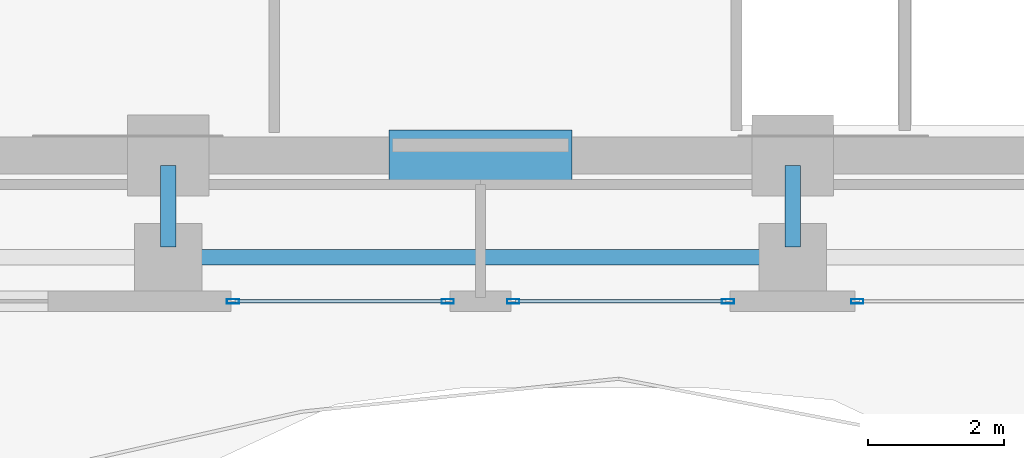
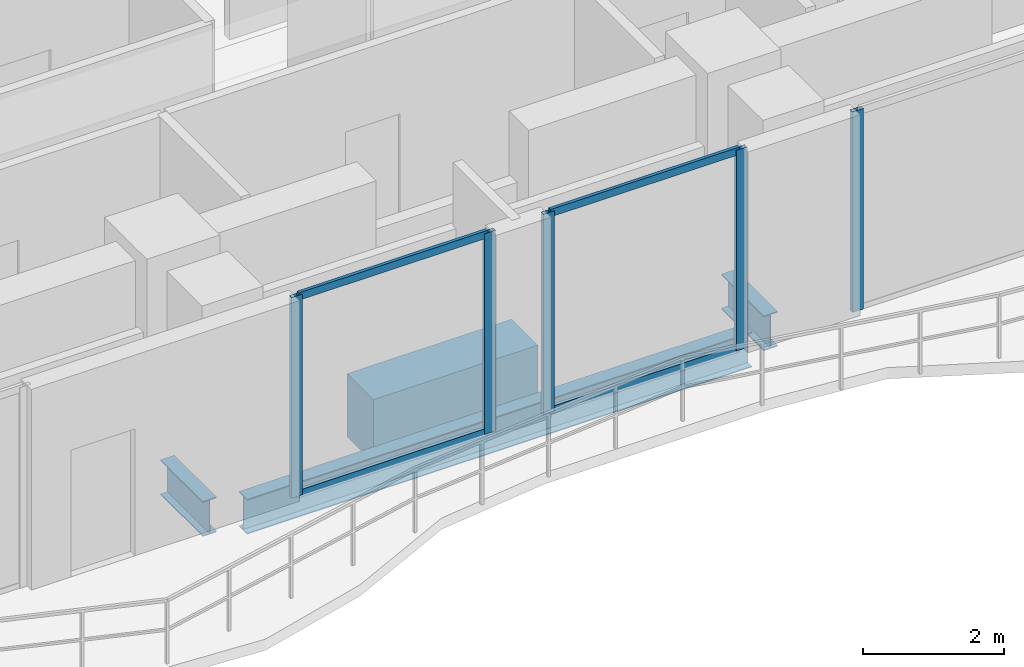
# One storey, part 4 of 25: 9 members, 4 beams, 3 elements without a shape of their own.
"""IFC4 building model written with IfcOpenShell, lengths in metres."""

from ifc_helpers import new_model, si_unit, direction, frame, origin, origin_2d, place, context, subcontext, project, spatial, rectangle, hollow_rectangle, i_section, extrude, material, layer, layer_set, material_profile, profile_set, type_object, element, aggregate, save


model = new_model("IFC4")

# Units and contexts
model_context = context("Model", 3, precision=1e-05, world=origin(), true_north=direction((0.0, 1.0)))
body_context = subcontext(model_context, "Body", "Model", "MODEL_VIEW")
ifc_project = project(units=[si_unit("LENGTHUNIT", "METRE"), si_unit("AREAUNIT", "SQUARE_METRE"), si_unit("VOLUMEUNIT", "CUBIC_METRE"), si_unit("PLANEANGLEUNIT", "RADIAN"), si_unit("MASSUNIT", "GRAM", prefix="KILO")], contexts=[model_context])

# Site, building, storey
site_placement = place(None, origin())
site = spatial("IfcSite", under=ifc_project, at=site_placement, CompositionType="ELEMENT")
building_placement = place(site_placement, origin())
building = spatial("IfcBuilding", under=site, at=building_placement, Name="Zuhayl Quay Hotel", CompositionType="ELEMENT")
storey_placement = place(building_placement, frame((0.0, 0.0, 250.75)))
storey = spatial("IfcBuildingStorey", under=building, at=storey_placement, Name="L63", CompositionType="ELEMENT", Elevation=250.75)

# Beams
ifc_material_1 = material(Name="Steel ASTM A992 Grade 50", Category="steel")
ifc_material_profile_1 = material_profile(ifc_material_1, i_section(OverallWidth=0.22802734375, OverallDepth=0.60693359375, WebThickness=0.01123046875, FlangeThickness=0.017333984375, at=origin_2d()), Name="W24X76")
ifc_profile_set_1 = profile_set([ifc_material_profile_1], Name="Steel ASTM A992 Grade 50")
beam_type_1 = type_object("IfcBeamType", Name="BM_B3_W24X76", PredefinedType="BEAM", material=ifc_profile_set_1)
beam_1_placement = place(storey_placement, frame((-4.139892578125, 0.64990234375, -0.5234375), z_axis=(1.0, 0.0, 0.0), x_axis=(0.0, 1.0, 0.0)))
element("IfcBeam", 1, at=beam_1_placement, inside=storey, type_object=beam_type_1, Name="L63 Floor Beam RG_L63_02", PredefinedType="BEAM", context=body_context, shape_type="SweptSolid", body=[
    extrude(i_section(OverallWidth=0.22802734375, OverallDepth=0.60693359375, WebThickness=0.01123046875, FlangeThickness=0.017333984375, at=origin_2d()), origin(), (0.0, 0.0, 1.0), 8.27978515625),
])
for number, where, z_axis, x_axis, name in (
    (2, (-4.60009765625, 0.800048828125, -0.5234375), (0.0, 1.0, 0.0), (-1.0, 0.0, 0.0), "L63 Floor Beam FG_S_L63_2"),
    (3, (4.60009765625, 0.800048828125, -0.5234375), (0.0, 1.0, 0.0), (-1.0, 0.0, 0.0), "L63 Floor Beam FG_S_L63_3"),
):
    element("IfcBeam", number, at=place(storey_placement, frame(where, z_axis=z_axis, x_axis=x_axis)), inside=storey, type_object=beam_type_1, Name=name, PredefinedType="BEAM", context=body_context, shape_type="SweptSolid", body=[
        extrude(i_section(OverallWidth=0.22802734375, OverallDepth=0.60693359375, WebThickness=0.01123046875, FlangeThickness=0.017333984375, at=origin_2d()), origin(), (0.0, 0.0, 1.0), 1.199951171875),
    ])
ifc_material_2 = material(Name="Concrete C60/75", Category="concrete")
ifc_material_profile_2 = material_profile(ifc_material_2, rectangle(XDim=0.75, YDim=1.10009765625, at=origin_2d()), Name="RC750X1100")
ifc_profile_set_2 = profile_set([ifc_material_profile_2], Name="Concrete C60/75")
beam_type_2 = type_object("IfcBeamType", Name="BM_CB2_RC750", PredefinedType="T_BEAM", material=ifc_profile_set_2)
beam_2_placement = place(storey_placement, frame((-1.35009765625, 2.14990234375, -0.77001953125), z_axis=(1.0, 0.0, 0.0), x_axis=(0.0, 1.0, 0.0)))
element("IfcBeam", 4, at=beam_2_placement, inside=storey, type_object=beam_type_2, Name="L63 Core Coupling Beam South", PredefinedType="T_BEAM", context=body_context, shape_type="SweptSolid", body=[
    extrude(rectangle(XDim=0.75, YDim=1.10009765625, at=origin_2d()), origin(), (0.0, 0.0, 1.0), 2.7001953125),
])

# Curtain wall, member
ifc_material_3 = material(Name="Anodised Aluminium 6063-T6", Category="aluminium")
ifc_layer = layer(ifc_material_3, 0.169921875, Name="Anodised Aluminium 6063-T6", Category="aluminium")
ifc_layer_set = layer_set([ifc_layer], Name="Anodised Aluminium 6063-T6")
curtain_wall_type = type_object("IfcCurtainWallType", Name="CW_SYS_Z4", PredefinedType="USERDEFINED", material=ifc_layer_set)
curtain_wall_1_placement = place(storey_placement, origin())
curtain_wall_1 = element("IfcCurtainWall", 5, at=curtain_wall_1_placement, inside=storey, type_object=curtain_wall_type, Name="L63 Curtain Wall ENV_L63_S_CW1", ObjectType="UNITISED CURTAIN WALL", PredefinedType="USERDEFINED")
ifc_material_4 = material(Name="Black-anodised aluminium 6063-T6", Category="aluminium")
ifc_material_profile_3 = material_profile(ifc_material_4, hollow_rectangle(XDim=0.06494140625, YDim=0.179931640625, WallThickness=0.00341796875, at=origin_2d()), Name="ALU180X65")
ifc_profile_set_3 = profile_set([ifc_material_profile_3], Name="Black-anodised aluminium 6063-T6")
member_type_1 = type_object("IfcMemberType", Name="MB_CW_MUL_180", PredefinedType="MULLION", material=ifc_profile_set_3)
member_1_placement = place(storey_placement, frame((5.552490234375, 0.0, 0.0), z_axis=(0.0, 0.0, 1.0), x_axis=(0.0, -1.0, 0.0)))
member_1 = element("IfcMember", 6, at=member_1_placement, type_object=member_type_1, Name="CW-Z4 mullion 2", PredefinedType="MULLION", context=body_context, shape_type="SweptSolid", body=[
    extrude(hollow_rectangle(XDim=0.06494140625, YDim=0.179931640625, WallThickness=0.00341796875, at=origin_2d()), origin(), (0.0, 0.0, 1.0), 3.47998046875),
])
aggregate(curtain_wall_1, [member_1])

# Curtain wall, members
curtain_wall_2_placement = place(storey_placement, origin())
curtain_wall_2 = element("IfcCurtainWall", 7, at=curtain_wall_2_placement, inside=storey, type_object=curtain_wall_type, Name="L63 Curtain Wall ENV_L63_S_CW2", ObjectType="UNITISED CURTAIN WALL", PredefinedType="USERDEFINED")
member_2_placement = place(storey_placement, frame((3.6474609375, 0.0, 0.0), z_axis=(0.0, 0.0, 1.0), x_axis=(0.0, -1.0, 0.0)))
member_2 = element("IfcMember", 8, at=member_2_placement, type_object=member_type_1, Name="CW-Z4 mullion 1", PredefinedType="MULLION", context=body_context, shape_type="SweptSolid", body=[
    extrude(hollow_rectangle(XDim=0.06494140625, YDim=0.179931640625, WallThickness=0.00341796875, at=origin_2d()), origin(), (0.0, 0.0, 1.0), 3.47998046875),
])
member_3_placement = place(storey_placement, frame((0.482421875, 0.0, 0.0), z_axis=(0.0, 0.0, 1.0), x_axis=(0.0, -1.0, 0.0)))
member_3 = element("IfcMember", 9, at=member_3_placement, type_object=member_type_1, Name="CW-Z4 mullion 2", PredefinedType="MULLION", context=body_context, shape_type="SweptSolid", body=[
    extrude(hollow_rectangle(XDim=0.06494140625, YDim=0.179931640625, WallThickness=0.00341796875, at=origin_2d()), origin(), (0.0, 0.0, 1.0), 3.47998046875),
])

curtain_wall_3_placement = place(storey_placement, origin())
curtain_wall_3 = element("IfcCurtainWall", 10, at=curtain_wall_3_placement, inside=storey, type_object=curtain_wall_type, Name="L63 Curtain Wall ENV_L63_S_CW3", ObjectType="UNITISED CURTAIN WALL", PredefinedType="USERDEFINED")
member_4_placement = place(storey_placement, frame((-0.482421875, 0.0, 0.0), z_axis=(0.0, 0.0, 1.0), x_axis=(0.0, -1.0, 0.0)))
member_4 = element("IfcMember", 11, at=member_4_placement, type_object=member_type_1, Name="CW-Z4 mullion 1", PredefinedType="MULLION", context=body_context, shape_type="SweptSolid", body=[
    extrude(hollow_rectangle(XDim=0.06494140625, YDim=0.179931640625, WallThickness=0.00341796875, at=origin_2d()), origin(), (0.0, 0.0, 1.0), 3.47998046875),
])
member_5_placement = place(storey_placement, frame((-3.6474609375, 0.0, 0.0), z_axis=(0.0, 0.0, 1.0), x_axis=(0.0, -1.0, 0.0)))
member_5 = element("IfcMember", 12, at=member_5_placement, type_object=member_type_1, Name="CW-Z4 mullion 2", PredefinedType="MULLION", context=body_context, shape_type="SweptSolid", body=[
    extrude(hollow_rectangle(XDim=0.06494140625, YDim=0.179931640625, WallThickness=0.00341796875, at=origin_2d()), origin(), (0.0, 0.0, 1.0), 3.47998046875),
])

# Member
ifc_material_profile_4 = material_profile(ifc_material_4, hollow_rectangle(XDim=0.054931640625, YDim=0.1298828125, WallThickness=0.0029296875, at=origin_2d()), Name="ALU130X55")
ifc_profile_set_4 = profile_set([ifc_material_profile_4], Name="Black-anodised aluminium 6063-T6")
member_type_2 = type_object("IfcMemberType", Name="MB_CW_TRN_130", PredefinedType="USERDEFINED", material=ifc_profile_set_4)
member_6_placement = place(storey_placement, frame((3.614990234375, 0.0, 0.027587890625), z_axis=(-1.0, 0.0, 0.0), x_axis=(0.0, -1.0, 0.0)))
member_6 = element("IfcMember", 13, at=member_6_placement, type_object=member_type_2, Name="CW-Z4 transom 1.1", ObjectType="TRANSOM", PredefinedType="USERDEFINED", context=body_context, shape_type="SweptSolid", body=[
    extrude(hollow_rectangle(XDim=0.054931640625, YDim=0.1298828125, WallThickness=0.0029296875, at=origin_2d()), origin(), (0.0, 0.0, 1.0), 3.10009765625),
])

member_7_placement = place(storey_placement, frame((3.614990234375, 0.0, 3.452392578125), z_axis=(-1.0, 0.0, 0.0), x_axis=(0.0, -1.0, 0.0)))
member_7 = element("IfcMember", 14, at=member_7_placement, type_object=member_type_2, Name="CW-Z4 transom 1.2", ObjectType="TRANSOM", PredefinedType="USERDEFINED", context=body_context, shape_type="SweptSolid", body=[
    extrude(hollow_rectangle(XDim=0.054931640625, YDim=0.1298828125, WallThickness=0.0029296875, at=origin_2d()), origin(), (0.0, 0.0, 1.0), 3.10009765625),
])

aggregate(curtain_wall_2, [member_2, member_3, member_6, member_7])

member_8_placement = place(storey_placement, frame((-0.514892578125, 0.0, 0.027587890625), z_axis=(-1.0, 0.0, 0.0), x_axis=(0.0, -1.0, 0.0)))
member_8 = element("IfcMember", 15, at=member_8_placement, type_object=member_type_2, Name="CW-Z4 transom 1.1", ObjectType="TRANSOM", PredefinedType="USERDEFINED", context=body_context, shape_type="SweptSolid", body=[
    extrude(hollow_rectangle(XDim=0.054931640625, YDim=0.1298828125, WallThickness=0.0029296875, at=origin_2d()), origin(), (0.0, 0.0, 1.0), 3.10009765625),
])

member_9_placement = place(storey_placement, frame((-0.514892578125, 0.0, 3.452392578125), z_axis=(-1.0, 0.0, 0.0), x_axis=(0.0, -1.0, 0.0)))
member_9 = element("IfcMember", 16, at=member_9_placement, type_object=member_type_2, Name="CW-Z4 transom 1.2", ObjectType="TRANSOM", PredefinedType="USERDEFINED", context=body_context, shape_type="SweptSolid", body=[
    extrude(hollow_rectangle(XDim=0.054931640625, YDim=0.1298828125, WallThickness=0.0029296875, at=origin_2d()), origin(), (0.0, 0.0, 1.0), 3.10009765625),
])

aggregate(curtain_wall_3, [member_4, member_5, member_8, member_9])

save(model, "model.ifc")
